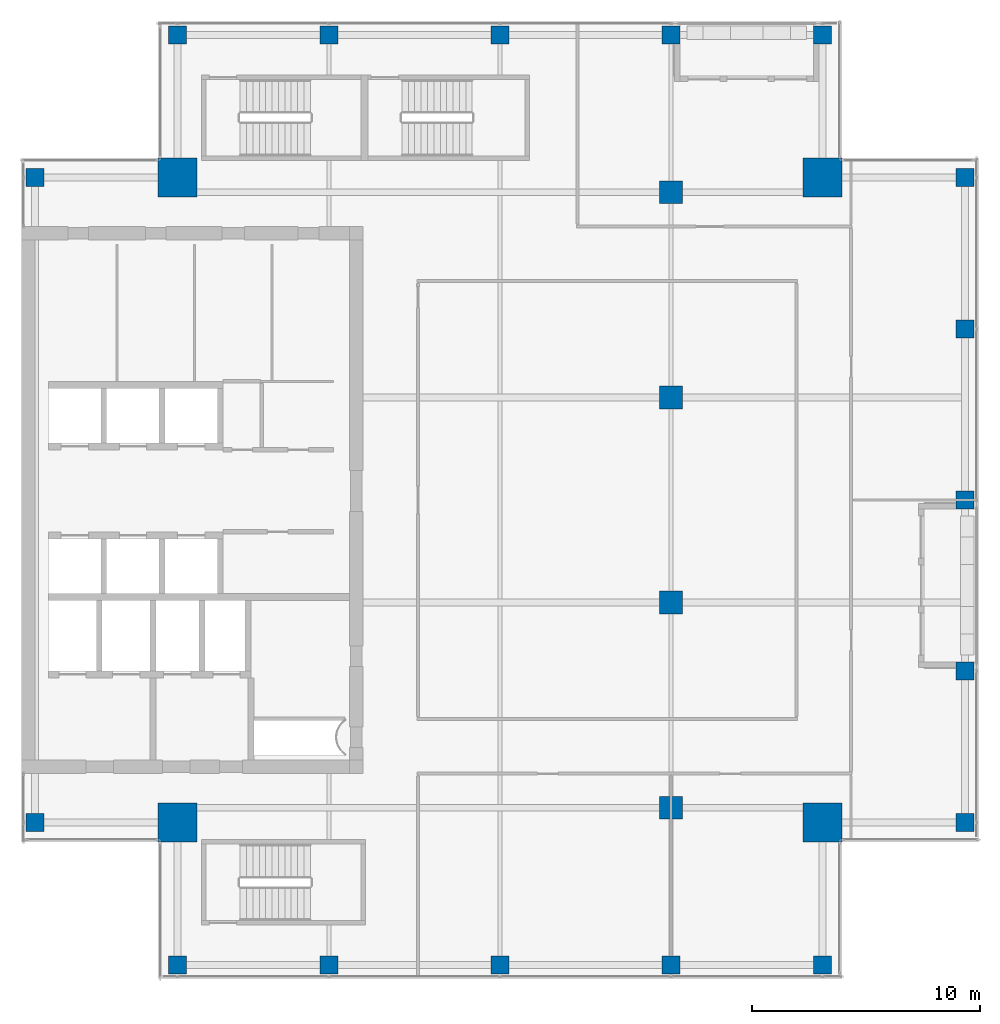
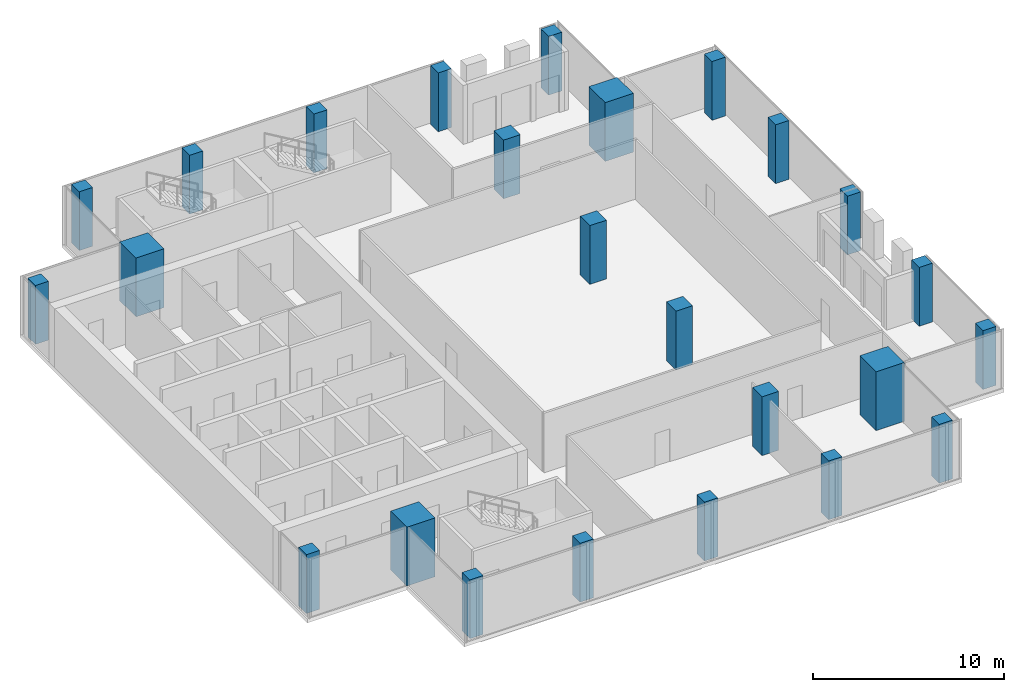
# One storey, part 1 of 29: 25 columns.
"""IFC4 building model written with IfcOpenShell, lengths in metres."""

from ifc_helpers import new_model, si_unit, direction, frame, origin, origin_2d, place, context, subcontext, project, spatial, rectangle, extrude, source, transform, mapped, material, material_profile, profile_set, type_object, element, save


model = new_model("IFC4")

# Units and contexts
model_context = context("Model", 3, precision=1e-05, world=origin(), true_north=direction((0.0, 1.0)))
body_context = subcontext(model_context, "Body", "Model", "MODEL_VIEW")
ifc_project = project(units=[si_unit("LENGTHUNIT", "METRE"), si_unit("AREAUNIT", "SQUARE_METRE"), si_unit("VOLUMEUNIT", "CUBIC_METRE"), si_unit("PLANEANGLEUNIT", "RADIAN"), si_unit("MASSUNIT", "GRAM", prefix="KILO")], contexts=[model_context])

# Site, building, storey
site_placement = place(None, origin())
site = spatial("IfcSite", under=ifc_project, at=site_placement, CompositionType="ELEMENT")
building_placement = place(site_placement, origin())
building = spatial("IfcBuilding", under=site, at=building_placement, Name="Khomas Fold Tower", CompositionType="ELEMENT")
storey_placement = place(building_placement, frame((0.0, 0.0, 326.199951171875)))
storey = spatial("IfcBuildingStorey", under=building, at=storey_placement, Name="L74", CompositionType="ELEMENT", Elevation=326.199951171875)

# Columns
ifc_material_1 = material(Name="Concrete C50/60", Category="concrete")
ifc_material_profile_1 = material_profile(ifc_material_1, rectangle(XDim=1.0, YDim=1.0, at=origin_2d()), Name="RC 1000x1000")
ifc_profile_set_1 = profile_set([ifc_material_profile_1], Name="Concrete C50/60")
column_type_1 = type_object("IfcColumnType", Name="RC 1000x1000 column", PredefinedType="COLUMN", material=ifc_profile_set_1)
shared_shape_1 = source(origin(), body_context, "Body", "SweptSolid", [
    extrude(rectangle(XDim=1.0, YDim=1.0, at=origin_2d()), origin(), (0.0, 0.0, 1.0), 3.75),
])
for number, where, z_axis, x_axis, name in (
    (1, (34.5, 13.5, 0.0), (0.0, 0.0, 1.0), (1.0, 0.0, 0.0), "C-10-H"),
    (2, (34.5, 22.5, 0.0), (0.0, 0.0, 1.0), (1.0, 0.0, 0.0), "C-10-K"),
    (3, (34.5, 31.5, 0.0), (0.0, 0.0, 1.0), (1.0, 0.0, 0.0), "C-10-M"),
    (4, (34.5, 40.5, 0.0), (0.0, 0.0, 1.0), (1.0, 0.0, 0.0), "C-10-P"),
):
    element("IfcColumn", number, at=place(storey_placement, frame(where, z_axis=z_axis, x_axis=x_axis)), inside=storey, type_object=column_type_1, Name=name, PredefinedType="COLUMN", context=body_context, shape_type="MappedRepresentation", body=[
        mapped(shared_shape_1, transform((0.0, 0.0, 0.0))),
    ])
ifc_material_2 = material(Name="Concrete C60/75", Category="concrete")
ifc_material_profile_2 = material_profile(ifc_material_2, rectangle(XDim=1.699951171875, YDim=1.699951171875, at=origin_2d()), Name="RC 1700x1700")
ifc_profile_set_2 = profile_set([ifc_material_profile_2], Name="Concrete C60/75")
column_type_2 = type_object("IfcColumnType", Name="RC 1700x1700 column", PredefinedType="COLUMN", material=ifc_profile_set_2)
shared_shape_2 = source(origin(), body_context, "Body", "SweptSolid", [
    extrude(rectangle(XDim=1.699951171875, YDim=1.699951171875, at=origin_2d()), origin(), (0.0, 0.0, 1.0), 3.75),
])
for number, where, z_axis, x_axis, name in (
    (5, (41.14990234375, 41.14990234375, 0.0), (0.0, 0.0, 1.0), (1.0, 0.0, 0.0), "CM-NE"),
    (6, (12.85009765625, 41.14990234375, 0.0), (0.0, 0.0, 1.0), (1.0, 0.0, 0.0), "CM-NW"),
    (7, (41.14990234375, 12.85009765625, 0.0), (0.0, 0.0, 1.0), (1.0, 0.0, 0.0), "CM-SE"),
    (8, (12.85009765625, 12.85009765625, 0.0), (0.0, 0.0, 1.0), (1.0, 0.0, 0.0), "CM-SW"),
):
    element("IfcColumn", number, at=place(storey_placement, frame(where, z_axis=z_axis, x_axis=x_axis)), inside=storey, type_object=column_type_2, Name=name, PredefinedType="COLUMN", context=body_context, shape_type="MappedRepresentation", body=[
        mapped(shared_shape_2, transform((0.0, 0.0, 0.0))),
    ])
ifc_material_3 = material(Name="Concrete C50/60", Category="concrete")
ifc_material_profile_3 = material_profile(ifc_material_3, rectangle(XDim=0.800048828125, YDim=0.800048828125, at=origin_2d()), Name="RC 800x800")
ifc_profile_set_3 = profile_set([ifc_material_profile_3], Name="Concrete C50/60")
column_type_3 = type_object("IfcColumnType", Name="RC 800x800 column", PredefinedType="COLUMN", material=ifc_profile_set_3)
shared_shape_3 = source(origin(), body_context, "Body", "SweptSolid", [
    extrude(rectangle(XDim=0.800048828125, YDim=0.800048828125, at=origin_2d()), origin(), (0.0, 0.0, 1.0), 3.75),
])
for number, where, z_axis, x_axis, name in (
    (9, (12.85009765625, 6.60009765625, 0.0), (0.0, 0.0, 1.0), (1.0, 0.0, 0.0), "C-7-SF5"),
    (10, (19.5, 6.60009765625, 0.0), (0.0, 0.0, 1.0), (1.0, 0.0, 0.0), "C-8-SF5"),
    (11, (27.0, 6.60009765625, 0.0), (0.0, 0.0, 1.0), (1.0, 0.0, 0.0), "C-9-SF5"),
    (12, (34.5, 6.60009765625, 0.0), (0.0, 0.0, 1.0), (1.0, 0.0, 0.0), "C-10-SF5"),
    (13, (41.14990234375, 6.60009765625, 0.0), (0.0, 0.0, 1.0), (1.0, 0.0, 0.0), "C-12-SF5"),
    (14, (47.39990234375, 12.85009765625, 0.0), (0.0, 0.0, 1.0), (1.0, 0.0, 0.0), "C-E5-G"),
    (15, (47.39990234375, 19.5, 0.0), (0.0, 0.0, 1.0), (1.0, 0.0, 0.0), "C-E5-J"),
    (16, (47.39990234375, 27.0, 0.0), (0.0, 0.0, 1.0), (1.0, 0.0, 0.0), "C-E5-L"),
    (17, (47.39990234375, 34.5, 0.0), (0.0, 0.0, 1.0), (1.0, 0.0, 0.0), "C-E5-N"),
    (18, (47.39990234375, 41.14990234375, 0.0), (0.0, 0.0, 1.0), (1.0, 0.0, 0.0), "C-E5-Q"),
    (19, (12.85009765625, 47.39990234375, 0.0), (0.0, 0.0, 1.0), (1.0, 0.0, 0.0), "C-7-NF5"),
    (20, (19.5, 47.39990234375, 0.0), (0.0, 0.0, 1.0), (1.0, 0.0, 0.0), "C-8-NF5"),
    (21, (27.0, 47.39990234375, 0.0), (0.0, 0.0, 1.0), (1.0, 0.0, 0.0), "C-9-NF5"),
    (22, (34.5, 47.39990234375, 0.0), (0.0, 0.0, 1.0), (1.0, 0.0, 0.0), "C-10-NF5"),
    (23, (41.14990234375, 47.39990234375, 0.0), (0.0, 0.0, 1.0), (1.0, 0.0, 0.0), "C-12-NF5"),
    (24, (6.60009765625, 12.85009765625, 0.0), (0.0, 0.0, 1.0), (1.0, 0.0, 0.0), "C-W5-G"),
    (25, (6.60009765625, 41.14990234375, 0.0), (0.0, 0.0, 1.0), (1.0, 0.0, 0.0), "C-W5-Q"),
):
    element("IfcColumn", number, at=place(storey_placement, frame(where, z_axis=z_axis, x_axis=x_axis)), inside=storey, type_object=column_type_3, Name=name, PredefinedType="COLUMN", context=body_context, shape_type="MappedRepresentation", body=[
        mapped(shared_shape_3, transform((0.0, 0.0, 0.0))),
    ])

save(model, "model.ifc")
